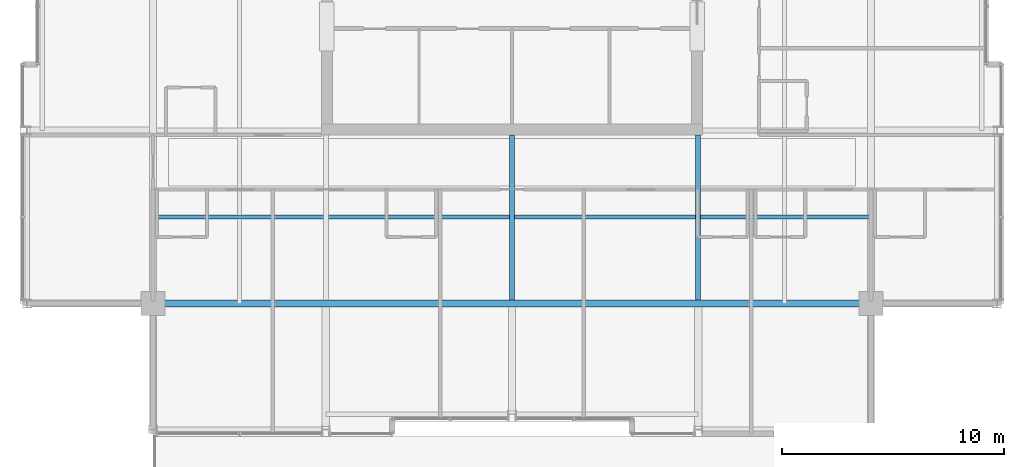
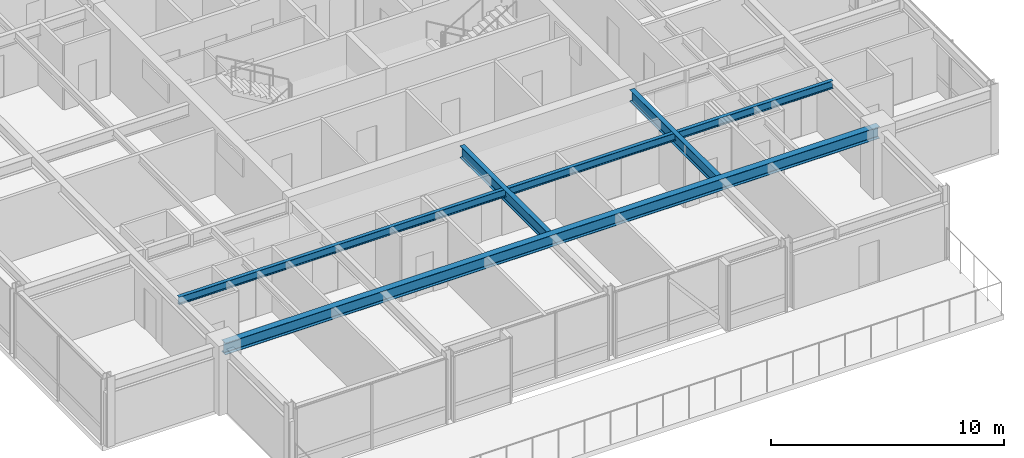
# One storey, part 7 of 32: 4 beams.
"""IFC4 building model written with IfcOpenShell, lengths in metres."""

from ifc_helpers import new_model, si_unit, direction, frame, origin, origin_2d, place, context, subcontext, project, spatial, i_section, extrude, material, material_profile, profile_set, type_object, element, save


model = new_model("IFC4")

# Units and contexts
model_context = context("Model", 3, precision=1e-05, world=origin(), true_north=direction((0.0, 1.0)))
body_context = subcontext(model_context, "Body", "Model", "MODEL_VIEW")
ifc_project = project(units=[si_unit("LENGTHUNIT", "METRE"), si_unit("AREAUNIT", "SQUARE_METRE"), si_unit("VOLUMEUNIT", "CUBIC_METRE"), si_unit("PLANEANGLEUNIT", "RADIAN"), si_unit("MASSUNIT", "GRAM", prefix="KILO")], contexts=[model_context])

# Site, building, storey
site_placement = place(None, origin())
site = spatial("IfcSite", under=ifc_project, at=site_placement, CompositionType="ELEMENT")
building_placement = place(site_placement, origin())
building = spatial("IfcBuilding", under=site, at=building_placement, Name="Drelvath Grand Hotel", CompositionType="ELEMENT")
storey_placement = place(building_placement, frame((0.0, 0.0, 265.0)))
storey = spatial("IfcBuildingStorey", under=building, at=storey_placement, Name="L69", CompositionType="ELEMENT", Elevation=265.0)

# Beams
ifc_material = material(Name="Steel ASTM A992 Gr 50", Category="steel")
ifc_material_profile_1 = material_profile(ifc_material, i_section(OverallWidth=0.177734375, OverallDepth=0.40673828125, WebThickness=0.0078125, FlangeThickness=0.0126953125, FilletRadius=0.014892578125, at=origin_2d()), Name="W16X40")
ifc_profile_set_1 = profile_set([ifc_material_profile_1], Name="Steel ASTM A992 Gr 50")
beam_type_1 = type_object("IfcBeamType", Name="Composite Floor Joist W16X40", PredefinedType="JOIST", material=ifc_profile_set_1)
beam_1_placement = place(storey_placement, frame((-16.199951171875, 14.699951171875, 3.1865234375), z_axis=(1.0, 0.0, 0.0), x_axis=(0.0, 1.0, 0.0)))
element("IfcBeam", 1, at=beam_1_placement, inside=storey, type_object=beam_type_1, Name="L69 Floor Joist J1", PredefinedType="JOIST", context=body_context, shape_type="SweptSolid", body=[
    extrude(i_section(OverallWidth=0.177734375, OverallDepth=0.40673828125, WebThickness=0.0078125, FlangeThickness=0.0126953125, FilletRadius=0.014892578125, at=origin_2d()), origin(), (0.0, 0.0, 1.0), 32.39990234375),
])
ifc_material_profile_2 = material_profile(ifc_material, i_section(OverallWidth=0.323974609375, OverallDepth=0.611083984375, WebThickness=0.0126953125, FlangeThickness=0.01904296875, FilletRadius=0.02197265625, at=origin_2d()), Name="W24X104")
ifc_profile_set_2 = profile_set([ifc_material_profile_2], Name="Steel ASTM A992 Gr 50")
beam_type_2 = type_object("IfcBeamType", Name="Primary Floor Girder W24X104", PredefinedType="BEAM", material=ifc_profile_set_2)
beam_2_placement = place(storey_placement, frame((-16.199951171875, 10.800048828125, 3.08447265625), z_axis=(1.0, 0.0, 0.0), x_axis=(0.0, 1.0, 0.0)))
element("IfcBeam", 2, at=beam_2_placement, inside=storey, type_object=beam_type_2, Name="L69 Mega Ring Girder South", PredefinedType="BEAM", context=body_context, shape_type="SweptSolid", body=[
    extrude(i_section(OverallWidth=0.323974609375, OverallDepth=0.611083984375, WebThickness=0.0126953125, FlangeThickness=0.01904296875, FilletRadius=0.02197265625, at=origin_2d()), origin(), (0.0, 0.0, 1.0), 32.39990234375),
])
ifc_material_profile_3 = material_profile(ifc_material, i_section(OverallWidth=0.228271484375, OverallDepth=0.607666015625, WebThickness=0.01123046875, FlangeThickness=0.017333984375, FilletRadius=0.02001953125, at=origin_2d()), Name="W24X76")
ifc_profile_set_3 = profile_set([ifc_material_profile_3], Name="Steel ASTM A992 Gr 50")
beam_type_3 = type_object("IfcBeamType", Name="Primary Floor Girder W24X76", PredefinedType="BEAM", material=ifc_profile_set_3)
for number, where, z_axis, x_axis, name in (
    (3, (0.0, 10.9619140625, 3.086181640625), (0.0, 1.0, 0.0), (-1.0, 0.0, 0.0), "L69 South Core Tie 5"),
    (4, (8.39990234375, 10.9619140625, 3.086181640625), (0.0, 1.0, 0.0), (-1.0, 0.0, 0.0), "L69 South Core Tie 6"),
):
    element("IfcBeam", number, at=place(storey_placement, frame(where, z_axis=z_axis, x_axis=x_axis)), inside=storey, type_object=beam_type_3, Name=name, PredefinedType="BEAM", context=body_context, shape_type="SweptSolid", body=[
        extrude(i_section(OverallWidth=0.228271484375, OverallDepth=0.607666015625, WebThickness=0.01123046875, FlangeThickness=0.017333984375, FilletRadius=0.02001953125, at=origin_2d()), origin(), (0.0, 0.0, 1.0), 7.43798828125),
    ])

save(model, "model.ifc")
